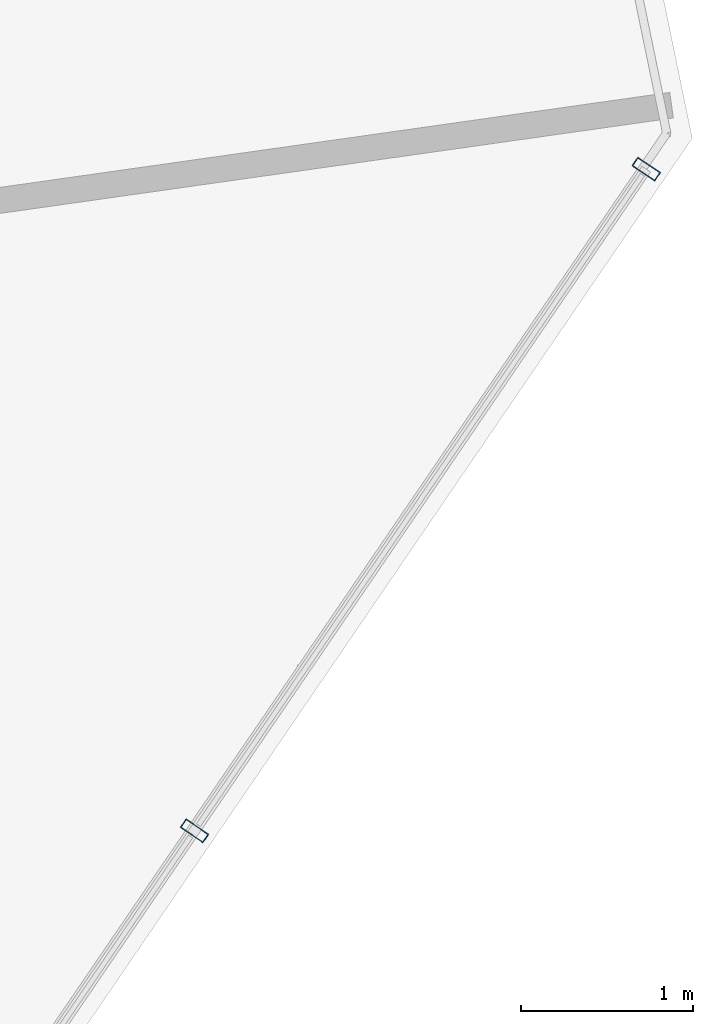
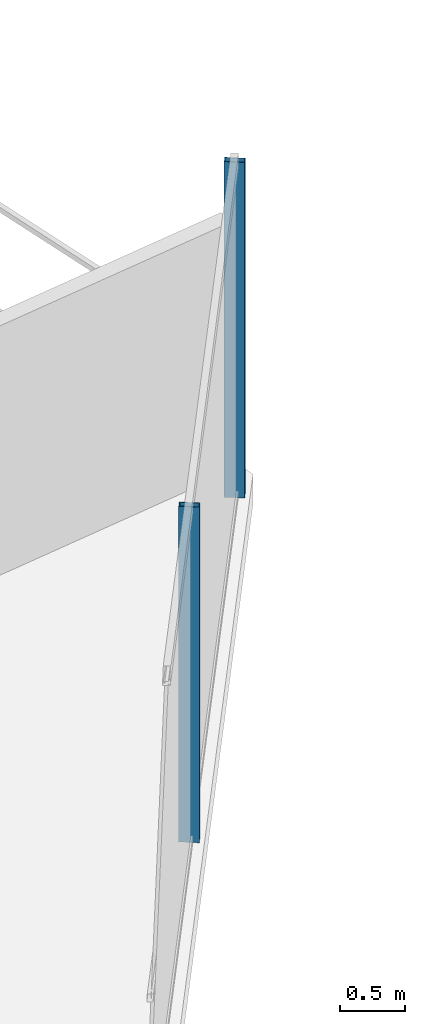
# One storey, part 15 of 30: 2 members, 1 element without a shape of its own.
"""IFC4 building model written with IfcOpenShell, lengths in metres."""

from ifc_helpers import new_model, si_unit, direction, frame, origin, origin_2d, place, context, subcontext, project, spatial, hollow_rectangle, extrude, material, layer, layer_set, material_profile, profile_set, type_object, element, aggregate, save


model = new_model("IFC4")

# Units and contexts
model_context = context("Model", 3, precision=1e-05, world=origin(), true_north=direction((0.0, 1.0)))
body_context = subcontext(model_context, "Body", "Model", "MODEL_VIEW")
ifc_project = project(units=[si_unit("LENGTHUNIT", "METRE"), si_unit("AREAUNIT", "SQUARE_METRE"), si_unit("VOLUMEUNIT", "CUBIC_METRE"), si_unit("PLANEANGLEUNIT", "RADIAN"), si_unit("MASSUNIT", "GRAM", prefix="KILO")], contexts=[model_context])

# Site, building, storey
site_placement = place(None, origin())
site = spatial("IfcSite", under=ifc_project, at=site_placement, CompositionType="ELEMENT")
building_placement = place(site_placement, origin())
building = spatial("IfcBuilding", under=site, at=building_placement, Name="Qarnah Convention Tower", CompositionType="ELEMENT")
storey_placement = place(building_placement, frame((0.0, 0.0, 51.14990234375)))
storey = spatial("IfcBuildingStorey", under=building, at=storey_placement, Name="L12", CompositionType="ELEMENT", Elevation=51.14990234375)

# Curtain wall, members
ifc_material_1 = material(Name="Tempered Low-E dark glass", Category="glass")
ifc_layer = layer(ifc_material_1, 0.16796875)
ifc_layer_set = layer_set([ifc_layer], Name="Tempered Low-E dark glass")
curtain_wall_type = type_object("IfcCurtainWallType", Name="CWS-01", PredefinedType="NOTDEFINED", material=ifc_layer_set)
curtain_wall_placement = place(storey_placement, origin())
curtain_wall = element("IfcCurtainWall", 1, at=curtain_wall_placement, inside=storey, type_object=curtain_wall_type, Name="L12 unitised curtain wall CW-L12-F3", PredefinedType="NOTDEFINED")
ifc_material_2 = material(Name="Black anodised aluminium", Category="aluminium")
ifc_material_profile = material_profile(ifc_material_2, hollow_rectangle(XDim=0.06005859375, YDim=0.159912109375, WallThickness=0.00390625, at=origin_2d()), Name="MUL-60X160")
ifc_profile_set = profile_set([ifc_material_profile], Name="Black anodised aluminium")
member_type = type_object("IfcMemberType", Name="MUL-T1", PredefinedType="MULLION", material=ifc_profile_set)
member_1_placement = place(storey_placement, frame((63.722900390625, 29.7939453125, 0.0), z_axis=(0.0, 0.0, 1.0), x_axis=(-0.563837988353, -0.825885417531, 0.0)))
member_1 = element("IfcMember", 2, at=member_1_placement, type_object=member_type, Name="CW-L12-F3 mullion 1", PredefinedType="MULLION", context=body_context, shape_type="SweptSolid", body=[
    extrude(hollow_rectangle(XDim=0.06005859375, YDim=0.159912109375, WallThickness=0.00390625, at=origin_2d()), origin(), (0.0, 0.0, 1.0), 3.170166015625),
])
member_2_placement = place(storey_placement, frame((61.09375, 25.942626953125, 0.0), z_axis=(0.0, 0.0, 1.0), x_axis=(-0.563837988353, -0.825885417531, 0.0)))
member_2 = element("IfcMember", 3, at=member_2_placement, type_object=member_type, Name="CW-L12-F3 mullion 2", PredefinedType="MULLION", context=body_context, shape_type="SweptSolid", body=[
    extrude(hollow_rectangle(XDim=0.06005859375, YDim=0.159912109375, WallThickness=0.00390625, at=origin_2d()), origin(), (0.0, 0.0, 1.0), 3.170166015625),
])
aggregate(curtain_wall, [member_1, member_2])

save(model, "model.ifc")
